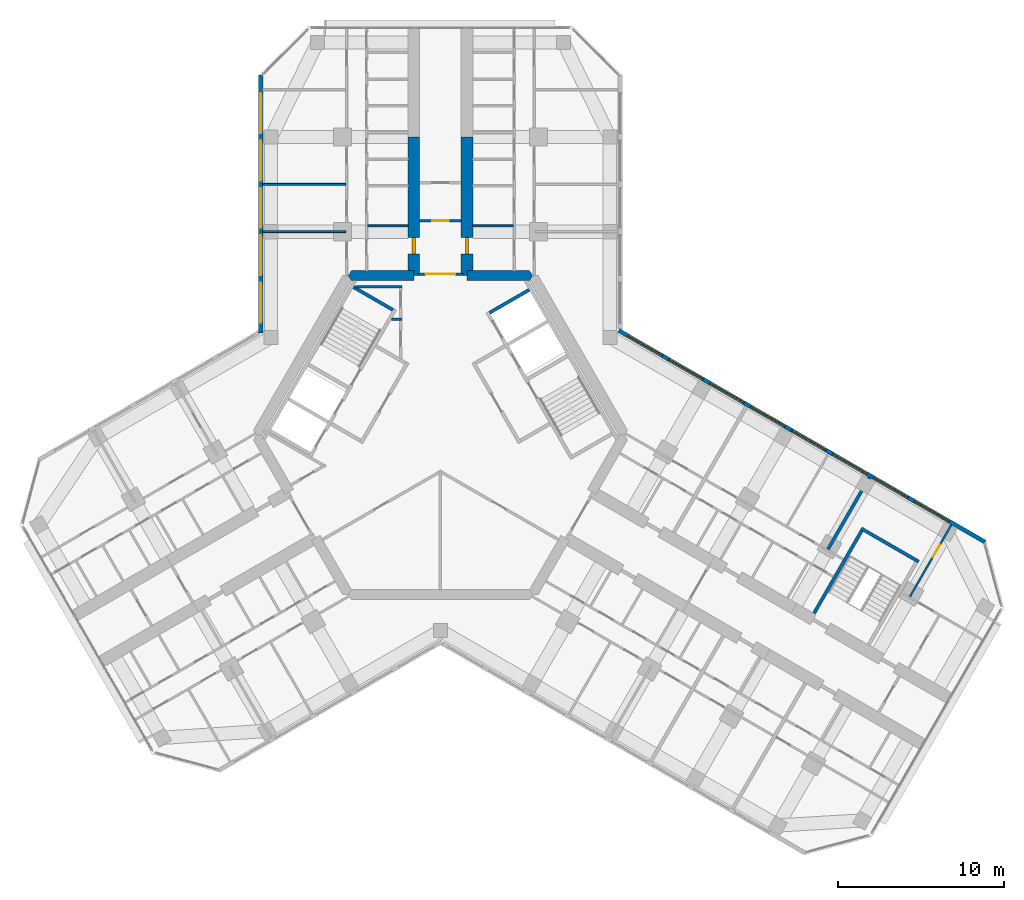
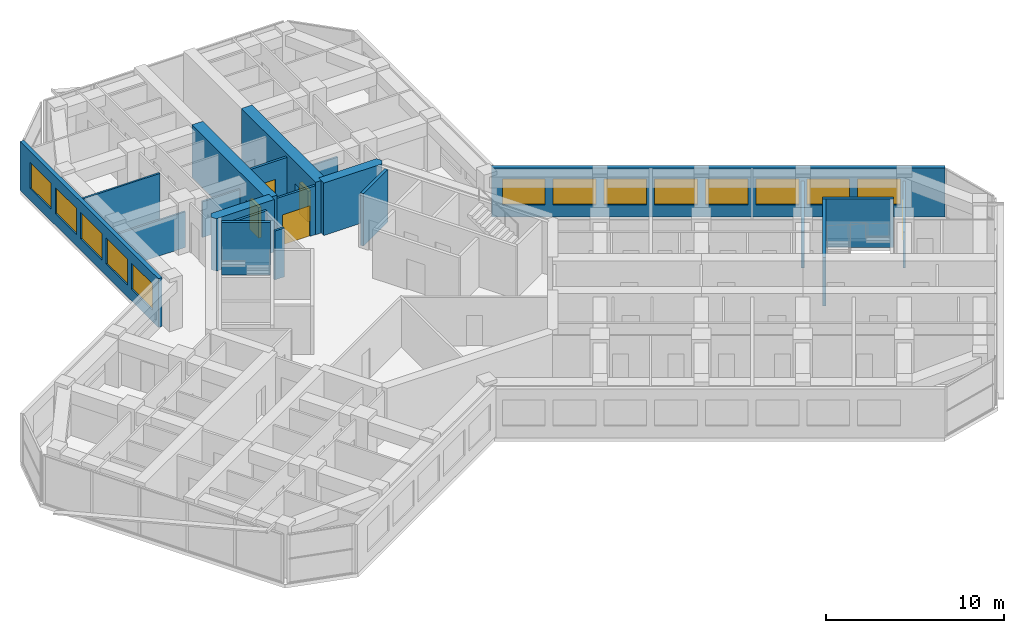
# One storey, part 13 of 16: 20 walls, 13 windows, 5 doors, 18 openings.
"""IFC4 building model written with IfcOpenShell, lengths in metres."""

from ifc_helpers import new_model, si_unit, direction, frame, frame_2d, origin, place, context, subcontext, project, spatial, polyline, rectangle, outline, extrude, material, layer, layer_set, type_object, element, fill, save


model = new_model("IFC4")

# Units and contexts
model_context = context("Model", 3, precision=1e-05, world=origin(), true_north=direction((0.0, 1.0)))
body_context = subcontext(model_context, "Body", "Model", "MODEL_VIEW")
ifc_project = project(units=[si_unit("LENGTHUNIT", "METRE"), si_unit("AREAUNIT", "SQUARE_METRE"), si_unit("VOLUMEUNIT", "CUBIC_METRE"), si_unit("PLANEANGLEUNIT", "RADIAN"), si_unit("MASSUNIT", "GRAM", prefix="KILO")], contexts=[model_context])

# Site, building, storey
site_placement = place(None, origin())
site = spatial("IfcSite", under=ifc_project, at=site_placement, CompositionType="ELEMENT")
building_placement = place(site_placement, origin())
building = spatial("IfcBuilding", under=site, at=building_placement, Name="Kosmar Iwan School Tower", CompositionType="ELEMENT")
storey_placement = place(building_placement, frame((0.0, 0.0, 238.800048828125)))
storey = spatial("IfcBuildingStorey", under=building, at=storey_placement, Name="L60", CompositionType="ELEMENT", Elevation=238.800048828125)

# Walls
ifc_material_1 = material(Name="Gypsum board on steel studs, fire-rated", Category="steel")
ifc_layer_1 = layer(ifc_material_1, 0.14990234375)
ifc_layer_set_1 = layer_set([ifc_layer_1], Name="Core room partition 150")
wall_type_1 = type_object("IfcWallType", Name="Core room partition 150", PredefinedType="PARTITIONING", material=ifc_layer_set_1)
wall_1_placement = place(storey_placement, frame((-2.324951171875, 6.985107421875, 0.0), z_axis=(0.0, 0.0, 1.0), x_axis=(-1.0, 0.0, 0.0)))
element("IfcWall", 1, at=wall_1_placement, inside=storey, type_object=wall_type_1, Name="Core room partition L60-CW2", PredefinedType="PARTITIONING", context=body_context, shape_type="SweptSolid", body=[
    extrude(rectangle(XDim=0.623779296875, YDim=0.14990234375, at=frame_2d((0.31201171875, 0.0))), origin(), (0.0, 0.0, 1.0), 3.349853515625),
])
wall_2_placement = place(storey_placement, frame((-5.089599609375, 8.93994140625, 0.0), z_axis=(0.0, 0.0, 1.0), x_axis=(1.0, 0.0, 0.0)))
element("IfcWall", 2, at=wall_2_placement, inside=storey, type_object=wall_type_1, Name="Core room partition L60-CW3", PredefinedType="PARTITIONING", context=body_context, shape_type="SweptSolid", body=[
    extrude(rectangle(XDim=2.7646484375, YDim=0.14990234375, at=frame_2d((1.38232421875, 0.0))), origin(), (0.0, 0.0, 1.0), 3.349853515625),
])
ifc_material_2 = material(Name="Concrete C50/60", Category="concrete")
ifc_layer_2 = layer(ifc_material_2, 0.60009765625)
ifc_layer_set_2 = layer_set([ifc_layer_2], Name="Core wall 600")
wall_type_2 = type_object("IfcWallType", Name="Core wall 600", PredefinedType="SHEAR", material=ifc_layer_set_2)
wall_3_placement = place(storey_placement, origin())
element("IfcWall", 3, at=wall_3_placement, inside=storey, type_object=wall_type_2, Name="Core wall F090a", PredefinedType="SHEAR", context=body_context, shape_type="SweptSolid", body=[
    extrude(outline(polyline([(1.60009765625, 9.300048828125), (5.369384765625, 9.300048828125), (5.54248046875, 9.60009765625), (5.369384765625, 9.89990234375), (1.60009765625, 9.89990234375), (1.60009765625, 9.300048828125)])), origin(), (0.0, 0.0, 1.0), 3.599853515625),
])
wall_4_placement = place(storey_placement, origin())
element("IfcWall", 4, at=wall_4_placement, inside=storey, type_object=wall_type_2, Name="Core wall F090b", PredefinedType="SHEAR", context=body_context, shape_type="SweptSolid", body=[
    extrude(outline(polyline([(-5.369384765625, 9.300048828125), (-1.60009765625, 9.300048828125), (-1.60009765625, 9.89990234375), (-5.369384765625, 9.89990234375), (-5.54248046875, 9.60009765625), (-5.369384765625, 9.300048828125)])), origin(), (0.0, 0.0, 1.0), 3.599853515625),
])

# Wall, opening, door
ifc_material_3 = material(Name="Concrete C50/60", Category="concrete")
ifc_layer_3 = layer(ifc_material_3, 0.699951171875)
ifc_layer_set_3 = layer_set([ifc_layer_3], Name="Corridor buttress wall 700")
wall_type_3 = type_object("IfcWallType", Name="Corridor buttress wall 700", PredefinedType="SHEAR", material=ifc_layer_set_3)
wall_5_placement = place(storey_placement, frame((-1.60009765625, 9.60009765625, 0.0), z_axis=(0.0, 0.0, 1.0), x_axis=(0.0, 1.0, 0.0)))
wall_5 = element("IfcWall", 5, at=wall_5_placement, inside=storey, type_object=wall_type_3, Name="Corridor wall AL", PredefinedType="SHEAR", context=body_context, shape_type="SweptSolid", body=[
    extrude(rectangle(XDim=8.349853515625, YDim=0.699951171875, at=frame_2d((4.1748046875, 0.0))), origin(), (0.0, 0.0, 1.0), 3.599853515625),
])
opening_1_placement = place(wall_5_placement, frame((1.300048828125, 0.0, 0.0)))
opening_1 = element("IfcOpeningElement", 6, at=opening_1_placement, cuts=wall_5, Name="Opening D1", PredefinedType="OPENING", context=body_context, shape_type="SweptSolid", body=[
    extrude(rectangle(XDim=1.0, YDim=2.10009765625, at=frame_2d((0.5, 1.050048828125))), frame((0.0, 0.362060546875, 0.0), z_axis=(0.0, -1.0, 0.0), x_axis=(1.0, 0.0, 0.0)), (0.0, 0.0, 1.0), 0.723876953125),
])
ifc_material_4 = material(Name="Timber fire door in steel frame", Category="steel")
door_type_1 = type_object("IfcDoorType", Name="Flat entrance door 1000x2100", OperationType="SINGLE_SWING_LEFT", PredefinedType="DOOR", material=ifc_material_4)
door_1_placement = place(opening_1_placement, origin())
door_1 = element("IfcDoor", 7, at=door_1_placement, inside=storey, type_object=door_type_1, Name="Flat L60-AL1 entrance door", OperationType="SINGLE_SWING_RIGHT", OverallHeight=2.10009765625, OverallWidth=1.0, PredefinedType="DOOR", context=body_context, shape_type="SweptSolid", body=[
    extrude(rectangle(XDim=1.0, YDim=2.10009765625, at=frame_2d((0.5, 1.050048828125))), frame((0.0, 0.10009765625, 0.0), z_axis=(0.0, -1.0, 0.0), x_axis=(1.0, 0.0, 0.0)), (0.0, 0.0, 1.0), 0.199951171875),
])
fill(opening_1, door_1)

wall_6_placement = place(storey_placement, frame((1.60009765625, 9.60009765625, 0.0), z_axis=(0.0, 0.0, 1.0), x_axis=(0.0, 1.0, 0.0)))
wall_6 = element("IfcWall", 8, at=wall_6_placement, inside=storey, type_object=wall_type_3, Name="Corridor wall AR", PredefinedType="SHEAR", context=body_context, shape_type="SweptSolid", body=[
    extrude(rectangle(XDim=8.349853515625, YDim=0.699951171875, at=frame_2d((4.1748046875, 0.0))), origin(), (0.0, 0.0, 1.0), 3.599853515625),
])
opening_2_placement = place(wall_6_placement, frame((1.300048828125, 0.0, 0.0)))
opening_2 = element("IfcOpeningElement", 9, at=opening_2_placement, cuts=wall_6, Name="Opening D1", PredefinedType="OPENING", context=body_context, shape_type="SweptSolid", body=[
    extrude(rectangle(XDim=1.0, YDim=2.10009765625, at=frame_2d((0.5, 1.050048828125))), frame((0.0, 0.362060546875, 0.0), z_axis=(0.0, -1.0, 0.0), x_axis=(1.0, 0.0, 0.0)), (0.0, 0.0, 1.0), 0.723876953125),
])
door_2_placement = place(opening_2_placement, origin())
door_2 = element("IfcDoor", 10, at=door_2_placement, inside=storey, type_object=door_type_1, Name="Flat L60-AR1 entrance door", OperationType="SINGLE_SWING_RIGHT", OverallHeight=2.10009765625, OverallWidth=1.0, PredefinedType="DOOR", context=body_context, shape_type="SweptSolid", body=[
    extrude(rectangle(XDim=1.0, YDim=2.10009765625, at=frame_2d((0.5, 1.050048828125))), frame((0.0, 0.10009765625, 0.0), z_axis=(0.0, -1.0, 0.0), x_axis=(1.0, 0.0, 0.0)), (0.0, 0.0, 1.0), 0.199951171875),
])
fill(opening_2, door_2)

ifc_material_5 = material(Name="Gypsum board on steel studs, fire-rated", Category="steel")
ifc_layer_4 = layer(ifc_material_5, 0.14990234375)
ifc_layer_set_4 = layer_set([ifc_layer_4], Name="Corridor end wall 150")
wall_type_4 = type_object("IfcWallType", Name="Corridor end wall 150", PredefinedType="PARTITIONING", material=ifc_layer_set_4)
wall_7_placement = place(storey_placement, frame((1.25, 12.89990234375, 0.0), z_axis=(0.0, 0.0, 1.0), x_axis=(-1.0, 0.0, 0.0)))
wall_7 = element("IfcWall", 11, at=wall_7_placement, inside=storey, type_object=wall_type_4, Name="Partition L60-A-HW", PredefinedType="PARTITIONING", context=body_context, shape_type="SweptSolid", body=[
    extrude(rectangle(XDim=2.5, YDim=0.14990234375, at=frame_2d((1.25, 0.0))), origin(), (0.0, 0.0, 1.0), 3.349853515625),
])
opening_3_placement = place(wall_7_placement, frame((0.75, 0.0, 0.0)))
opening_3 = element("IfcOpeningElement", 12, at=opening_3_placement, cuts=wall_7, Name="Opening D13", PredefinedType="OPENING", context=body_context, shape_type="SweptSolid", body=[
    extrude(rectangle(XDim=1.0, YDim=2.10009765625, at=frame_2d((0.5, 1.050048828125))), frame((0.0, 0.0869140625, 0.0), z_axis=(0.0, -1.0, 0.0), x_axis=(1.0, 0.0, 0.0)), (0.0, 0.0, 1.0), 0.173828125),
])
ifc_material_6 = material(Name="Timber fire door with vision panel", Category="wood")
door_type_2 = type_object("IfcDoorType", Name="Corridor end door 1000x2100", OperationType="SINGLE_SWING_LEFT", PredefinedType="DOOR", material=ifc_material_6)
door_3_placement = place(opening_3_placement, origin())
door_3 = element("IfcDoor", 13, at=door_3_placement, inside=storey, type_object=door_type_2, Name="Entrance door L60-A", OperationType="SINGLE_SWING_LEFT", OverallHeight=2.10009765625, OverallWidth=1.0, PredefinedType="DOOR", context=body_context, shape_type="SweptSolid", body=[
    extrude(rectangle(XDim=1.0, YDim=2.10009765625, at=frame_2d((0.5, 1.050048828125))), frame((0.0, 0.02490234375, 0.0), z_axis=(0.0, -1.0, 0.0), x_axis=(1.0, 0.0, 0.0)), (0.0, 0.0, 1.0), 0.050048828125),
])
fill(opening_3, door_3)

ifc_material_7 = material(Name="Steel framed glazed screen", Category="steel")
ifc_layer_5 = layer(ifc_material_7, 0.14990234375)
ifc_layer_set_5 = layer_set([ifc_layer_5], Name="Corridor screen wall 150")
wall_type_5 = type_object("IfcWallType", Name="Corridor screen wall 150", PredefinedType="PARTITIONING", material=ifc_layer_set_5)
wall_8_placement = place(storey_placement, frame((1.35009765625, 9.699951171875, 0.0), z_axis=(0.0, 0.0, 1.0), x_axis=(-1.0, 0.0, 0.0)))
wall_8 = element("IfcWall", 14, at=wall_8_placement, inside=storey, type_object=wall_type_5, Name="Corridor screen A L60", PredefinedType="PARTITIONING", context=body_context, shape_type="SweptSolid", body=[
    extrude(rectangle(XDim=2.7001953125, YDim=0.14990234375, at=frame_2d((1.35009765625, 0.0))), origin(), (0.0, 0.0, 1.0), 3.349853515625),
])
opening_4_placement = place(wall_8_placement, frame((0.449951171875, 0.0, 0.0)))
opening_4 = element("IfcOpeningElement", 15, at=opening_4_placement, cuts=wall_8, Name="Opening D9", PredefinedType="OPENING", context=body_context, shape_type="SweptSolid", body=[
    extrude(rectangle(XDim=1.800048828125, YDim=2.10009765625, at=frame_2d((0.89990234375, 1.050048828125))), frame((0.0, 0.0869140625, 0.0), z_axis=(0.0, -1.0, 0.0), x_axis=(1.0, 0.0, 0.0)), (0.0, 0.0, 1.0), 0.173828125),
])
ifc_material_8 = material(Name="Steel framed glazed smoke door", Category="steel")
door_type_3 = type_object("IfcDoorType", Name="Corridor smoke door pair 1800x2100", OperationType="DOUBLE_DOOR_DOUBLE_SWING", PredefinedType="DOOR", material=ifc_material_8)
door_4_placement = place(opening_4_placement, origin())
door_4 = element("IfcDoor", 16, at=door_4_placement, inside=storey, type_object=door_type_3, Name="Corridor doors A L60", OperationType="DOUBLE_DOOR_DOUBLE_SWING", OverallHeight=2.10009765625, OverallWidth=1.800048828125, PredefinedType="DOOR", context=body_context, shape_type="SweptSolid", body=[
    extrude(rectangle(XDim=1.800048828125, YDim=2.10009765625, at=frame_2d((0.89990234375, 1.050048828125))), frame((0.0, 0.02490234375, 0.0), z_axis=(0.0, -1.0, 0.0), x_axis=(1.0, 0.0, 0.0)), (0.0, 0.0, 1.0), 0.050048828125),
])
fill(opening_4, door_4)

# Walls
ifc_material_9 = material(Name="Gypsum board on steel studs", Category="steel")
ifc_layer_6 = layer(ifc_material_9, 0.1201171875)
ifc_layer_set_6 = layer_set([ifc_layer_6], Name="Dwelling partition 120")
wall_type_6 = type_object("IfcWallType", Name="Dwelling partition 120", PredefinedType="PARTITIONING", material=ifc_layer_set_6)
wall_9_placement = place(storey_placement, frame((-5.7099609375, 12.25, 0.0), z_axis=(0.0, 0.0, 1.0), x_axis=(-1.0, 0.0, 0.0)))
element("IfcWall", 17, at=wall_9_placement, inside=storey, type_object=wall_type_6, Name="Partition L60-AL1-X1", PredefinedType="PARTITIONING", context=body_context, shape_type="SweptSolid", body=[
    extrude(rectangle(XDim=4.989990234375, YDim=0.1201171875, at=frame_2d((2.4951171875, 0.0))), origin(), (0.0, 0.0, 1.0), 2.449951171875),
])
wall_10_placement = place(storey_placement, frame((-5.7099609375, 15.10009765625, 0.0), z_axis=(0.0, 0.0, 1.0), x_axis=(-1.0, 0.0, 0.0)))
element("IfcWall", 18, at=wall_10_placement, inside=storey, type_object=wall_type_6, Name="Partition L60-AL1-X2", PredefinedType="PARTITIONING", context=body_context, shape_type="SweptSolid", body=[
    extrude(rectangle(XDim=4.989990234375, YDim=0.1201171875, at=frame_2d((2.4951171875, 0.0))), origin(), (0.0, 0.0, 1.0), 3.349853515625),
])
for number, where, z_axis, x_axis, name in (
    (19, (-1.949951171875, 12.60009765625, 0.0), (0.0, 0.0, 1.0), (-1.0, 0.0, 0.0), "Partition L60-AL1-Y1"),
    (20, (1.949951171875, 12.60009765625, 0.0), (0.0, 0.0, 1.0), (1.0, 0.0, 0.0), "Partition L60-AR1-Y1"),
):
    element("IfcWall", number, at=place(storey_placement, frame(where, z_axis=z_axis, x_axis=x_axis)), inside=storey, type_object=wall_type_6, Name=name, PredefinedType="PARTITIONING", context=body_context, shape_type="SweptSolid", body=[
        extrude(rectangle(XDim=2.43994140625, YDim=0.1201171875, at=frame_2d((1.219970703125, 0.0))), origin(), (0.0, 0.0, 1.0), 2.449951171875),
    ])

# Wall, opening, door
wall_11_placement = place(storey_placement, frame((28.27294921875, -9.72998046875, 0.0), z_axis=(0.0, 0.0, 1.0), x_axis=(0.499975153383, 0.86603974851, 0.0)))
wall_11 = element("IfcWall", 21, at=wall_11_placement, inside=storey, type_object=wall_type_6, Name="Partition L60-CL3-TX", PredefinedType="PARTITIONING", context=body_context, shape_type="SweptSolid", body=[
    extrude(rectangle(XDim=4.989990234375, YDim=0.1201171875, at=frame_2d((2.4951171875, 0.0))), origin(), (0.0, 0.0, 1.0), 2.449951171875),
])
opening_5_placement = place(wall_11_placement, frame((2.739990234375, 0.0, 0.0)))
opening_5 = element("IfcOpeningElement", 22, at=opening_5_placement, cuts=wall_11, Name="Opening D2", PredefinedType="OPENING", context=body_context, shape_type="SweptSolid", body=[
    extrude(rectangle(XDim=0.89990234375, YDim=2.10009765625, at=frame_2d((0.449951171875, 1.050048828125))), frame((0.0, 0.072021484375, 0.0), z_axis=(0.0, -1.0, 0.0), x_axis=(1.0, 0.0, 0.0)), (0.0, 0.0, 1.0), 0.14404296875),
])
ifc_material_10 = material(Name="Timber door in timber frame", Category="wood")
door_type_4 = type_object("IfcDoorType", Name="Internal door 900x2100", OperationType="SINGLE_SWING_LEFT", PredefinedType="DOOR", material=ifc_material_10)
door_5_placement = place(opening_5_placement, origin())
door_5 = element("IfcDoor", 23, at=door_5_placement, inside=storey, type_object=door_type_4, Name="Bedroom 1 door L60-CL3-T1", OperationType="SINGLE_SWING_RIGHT", OverallHeight=2.10009765625, OverallWidth=0.89990234375, PredefinedType="DOOR", context=body_context, shape_type="SweptSolid", body=[
    extrude(rectangle(XDim=0.89990234375, YDim=2.10009765625, at=frame_2d((0.449951171875, 1.050048828125))), frame((0.0, 0.02490234375, 0.0), z_axis=(0.0, -1.0, 0.0), x_axis=(1.0, 0.0, 0.0)), (0.0, 0.0, 1.0), 0.050048828125),
])
fill(opening_5, door_5)

# Walls
ifc_material_11 = material(Name="Concrete C35/45", Category="concrete")
ifc_layer_7 = layer(ifc_material_11, 0.199951171875)
ifc_layer_set_7 = layer_set([ifc_layer_7], Name="Escape stair wall 200")
wall_type_7 = type_object("IfcWallType", Name="Escape stair wall 200", PredefinedType="SHEAR", material=ifc_layer_set_7)
wall_12_placement = place(storey_placement, frame((22.49560546875, -10.736328125, 0.0), z_axis=(0.0, 0.0, 1.0), x_axis=(0.500013701029, 0.866017493347, 0.0)))
element("IfcWall", 24, at=wall_12_placement, inside=storey, type_object=wall_type_7, Name="Stair WS3 wall", PredefinedType="SHEAR", context=body_context, shape_type="SweptSolid", body=[
    extrude(rectangle(XDim=5.949951171875, YDim=0.199951171875, at=frame_2d((2.97509765625, 0.0))), origin(), (0.0, 0.0, 1.0), 3.329833984375),
])
wall_13_placement = place(storey_placement, frame((25.334228515625, -5.6201171875, 0.0), z_axis=(0.0, 0.0, 1.0), x_axis=(0.866026010844, -0.49999894854, 0.0)))
element("IfcWall", 25, at=wall_13_placement, inside=storey, type_object=wall_type_7, Name="Stair WS3 wall", PredefinedType="SHEAR", context=body_context, shape_type="SweptSolid", body=[
    extrude(rectangle(XDim=4.0, YDim=0.199951171875, at=frame_2d((2.0, 0.0))), origin(), (0.0, 0.0, 1.0), 3.329833984375),
])

# Wall, openings, windows
ifc_material_12 = material(Name="Black aluminium rainscreen on insulated framing", Category="aluminium")
ifc_layer_8 = layer(ifc_material_12, 0.25)
ifc_layer_set_8 = layer_set([ifc_layer_8], Name="External wall rainscreen 250")
wall_type_8 = type_object("IfcWallType", Name="External wall rainscreen 250", PredefinedType="SOLIDWALL", material=ifc_layer_set_8)
wall_14_placement = place(storey_placement, frame((10.73681640625, 6.30078125, 0.0), z_axis=(0.0, 0.0, 1.0), x_axis=(0.866026390279, -0.499998291337, 0.0)))
wall_14 = element("IfcWall", 26, at=wall_14_placement, inside=storey, type_object=wall_type_8, Name="External wall CL L60", PredefinedType="SOLIDWALL", context=body_context, shape_type="SweptSolid", body=[
    extrude(rectangle(XDim=25.4873046875, YDim=0.25, at=frame_2d((12.74365234375, 0.0))), origin(), (0.0, 0.0, 1.0), 3.349853515625),
])
opening_6_placement = place(wall_14_placement, frame((0.626953125, 0.0, 0.800048828125)))
opening_6 = element("IfcOpeningElement", 27, at=opening_6_placement, cuts=wall_14, Name="Opening W5", PredefinedType="OPENING", context=body_context, shape_type="SweptSolid", body=[
    extrude(rectangle(XDim=2.39990234375, YDim=1.800048828125, at=frame_2d((1.199951171875, 0.89990234375))), frame((0.0, 0.136962890625, 0.0), z_axis=(0.0, -1.0, 0.0), x_axis=(1.0, 0.0, 0.0)), (0.0, 0.0, 1.0), 0.27392578125),
])
opening_7_placement = place(wall_14_placement, frame((3.47705078125, 0.0, 0.800048828125)))
opening_7 = element("IfcOpeningElement", 28, at=opening_7_placement, cuts=wall_14, Name="Opening W5", PredefinedType="OPENING", context=body_context, shape_type="SweptSolid", body=[
    extrude(rectangle(XDim=2.39990234375, YDim=1.800048828125, at=frame_2d((1.199951171875, 0.89990234375))), frame((0.0, 0.136962890625, 0.0), z_axis=(0.0, -1.0, 0.0), x_axis=(1.0, 0.0, 0.0)), (0.0, 0.0, 1.0), 0.27392578125),
])
opening_8_placement = place(wall_14_placement, frame((6.326904296875, 0.0, 0.800048828125)))
opening_8 = element("IfcOpeningElement", 29, at=opening_8_placement, cuts=wall_14, Name="Opening W5", PredefinedType="OPENING", context=body_context, shape_type="SweptSolid", body=[
    extrude(rectangle(XDim=2.39990234375, YDim=1.800048828125, at=frame_2d((1.199951171875, 0.89990234375))), frame((0.0, 0.136962890625, 0.0), z_axis=(0.0, -1.0, 0.0), x_axis=(1.0, 0.0, 0.0)), (0.0, 0.0, 1.0), 0.27392578125),
])
opening_9_placement = place(wall_14_placement, frame((9.177001953125, 0.0, 0.800048828125)))
opening_9 = element("IfcOpeningElement", 30, at=opening_9_placement, cuts=wall_14, Name="Opening W5", PredefinedType="OPENING", context=body_context, shape_type="SweptSolid", body=[
    extrude(rectangle(XDim=2.39990234375, YDim=1.800048828125, at=frame_2d((1.199951171875, 0.89990234375))), frame((0.0, 0.136962890625, 0.0), z_axis=(0.0, -1.0, 0.0), x_axis=(1.0, 0.0, 0.0)), (0.0, 0.0, 1.0), 0.27392578125),
])
opening_10_placement = place(wall_14_placement, frame((12.027099609375, 0.0, 0.800048828125)))
opening_10 = element("IfcOpeningElement", 31, at=opening_10_placement, cuts=wall_14, Name="Opening W5", PredefinedType="OPENING", context=body_context, shape_type="SweptSolid", body=[
    extrude(rectangle(XDim=2.39990234375, YDim=1.800048828125, at=frame_2d((1.199951171875, 0.89990234375))), frame((0.0, 0.136962890625, 0.0), z_axis=(0.0, -1.0, 0.0), x_axis=(1.0, 0.0, 0.0)), (0.0, 0.0, 1.0), 0.27392578125),
])
opening_11_placement = place(wall_14_placement, frame((14.876953125, 0.0, 0.800048828125)))
opening_11 = element("IfcOpeningElement", 32, at=opening_11_placement, cuts=wall_14, Name="Opening W5", PredefinedType="OPENING", context=body_context, shape_type="SweptSolid", body=[
    extrude(rectangle(XDim=2.39990234375, YDim=1.800048828125, at=frame_2d((1.199951171875, 0.89990234375))), frame((0.0, 0.136962890625, 0.0), z_axis=(0.0, -1.0, 0.0), x_axis=(1.0, 0.0, 0.0)), (0.0, 0.0, 1.0), 0.27392578125),
])
opening_12_placement = place(wall_14_placement, frame((17.72705078125, 0.0, 0.800048828125)))
opening_12 = element("IfcOpeningElement", 33, at=opening_12_placement, cuts=wall_14, Name="Opening W5", PredefinedType="OPENING", context=body_context, shape_type="SweptSolid", body=[
    extrude(rectangle(XDim=2.39990234375, YDim=1.800048828125, at=frame_2d((1.199951171875, 0.89990234375))), frame((0.0, 0.136962890625, 0.0), z_axis=(0.0, -1.0, 0.0), x_axis=(1.0, 0.0, 0.0)), (0.0, 0.0, 1.0), 0.27392578125),
])
opening_13_placement = place(wall_14_placement, frame((20.576904296875, 0.0, 0.800048828125)))
opening_13 = element("IfcOpeningElement", 34, at=opening_13_placement, cuts=wall_14, Name="Opening W5", PredefinedType="OPENING", context=body_context, shape_type="SweptSolid", body=[
    extrude(rectangle(XDim=2.39990234375, YDim=1.800048828125, at=frame_2d((1.199951171875, 0.89990234375))), frame((0.0, 0.136962890625, 0.0), z_axis=(0.0, -1.0, 0.0), x_axis=(1.0, 0.0, 0.0)), (0.0, 0.0, 1.0), 0.27392578125),
])
ifc_material_13 = material(Name="Black aluminium frame with dark triple glazing", Category="aluminium")
window_type = type_object("IfcWindowType", Name="Window 2400x1800", PartitioningType="SINGLE_PANEL", PredefinedType="WINDOW", material=ifc_material_13)
window_1_placement = place(opening_6_placement, origin())
window_1 = element("IfcWindow", 35, at=window_1_placement, inside=storey, type_object=window_type, Name="Window CL L60 -1", OverallHeight=1.800048828125, OverallWidth=2.39990234375, PartitioningType="SINGLE_PANEL", PredefinedType="WINDOW", context=body_context, shape_type="SweptSolid", body=[
    extrude(rectangle(XDim=2.39990234375, YDim=1.800048828125, at=frame_2d((1.199951171875, 0.89990234375))), frame((0.0, 0.030029296875, 0.0), z_axis=(0.0, -1.0, 0.0), x_axis=(1.0, 0.0, 0.0)), (0.0, 0.0, 1.0), 0.06005859375),
])
fill(opening_6, window_1)
window_2_placement = place(opening_7_placement, origin())
window_2 = element("IfcWindow", 36, at=window_2_placement, inside=storey, type_object=window_type, Name="Window CL L60 0", OverallHeight=1.800048828125, OverallWidth=2.39990234375, PartitioningType="SINGLE_PANEL", PredefinedType="WINDOW", context=body_context, shape_type="SweptSolid", body=[
    extrude(rectangle(XDim=2.39990234375, YDim=1.800048828125, at=frame_2d((1.199951171875, 0.89990234375))), frame((0.0, 0.030029296875, 0.0), z_axis=(0.0, -1.0, 0.0), x_axis=(1.0, 0.0, 0.0)), (0.0, 0.0, 1.0), 0.06005859375),
])
fill(opening_7, window_2)
window_3_placement = place(opening_8_placement, origin())
window_3 = element("IfcWindow", 37, at=window_3_placement, inside=storey, type_object=window_type, Name="Window CL L60 1", OverallHeight=1.800048828125, OverallWidth=2.39990234375, PartitioningType="SINGLE_PANEL", PredefinedType="WINDOW", context=body_context, shape_type="SweptSolid", body=[
    extrude(rectangle(XDim=2.39990234375, YDim=1.800048828125, at=frame_2d((1.199951171875, 0.89990234375))), frame((0.0, 0.030029296875, 0.0), z_axis=(0.0, -1.0, 0.0), x_axis=(1.0, 0.0, 0.0)), (0.0, 0.0, 1.0), 0.06005859375),
])
fill(opening_8, window_3)
window_4_placement = place(opening_9_placement, origin())
window_4 = element("IfcWindow", 38, at=window_4_placement, inside=storey, type_object=window_type, Name="Window CL L60 2", OverallHeight=1.800048828125, OverallWidth=2.39990234375, PartitioningType="SINGLE_PANEL", PredefinedType="WINDOW", context=body_context, shape_type="SweptSolid", body=[
    extrude(rectangle(XDim=2.39990234375, YDim=1.800048828125, at=frame_2d((1.199951171875, 0.89990234375))), frame((0.0, 0.030029296875, 0.0), z_axis=(0.0, -1.0, 0.0), x_axis=(1.0, 0.0, 0.0)), (0.0, 0.0, 1.0), 0.06005859375),
])
fill(opening_9, window_4)
window_5_placement = place(opening_10_placement, origin())
window_5 = element("IfcWindow", 39, at=window_5_placement, inside=storey, type_object=window_type, Name="Window CL L60 3", OverallHeight=1.800048828125, OverallWidth=2.39990234375, PartitioningType="SINGLE_PANEL", PredefinedType="WINDOW", context=body_context, shape_type="SweptSolid", body=[
    extrude(rectangle(XDim=2.39990234375, YDim=1.800048828125, at=frame_2d((1.199951171875, 0.89990234375))), frame((0.0, 0.030029296875, 0.0), z_axis=(0.0, -1.0, 0.0), x_axis=(1.0, 0.0, 0.0)), (0.0, 0.0, 1.0), 0.06005859375),
])
fill(opening_10, window_5)
window_6_placement = place(opening_11_placement, origin())
window_6 = element("IfcWindow", 40, at=window_6_placement, inside=storey, type_object=window_type, Name="Window CL L60 4", OverallHeight=1.800048828125, OverallWidth=2.39990234375, PartitioningType="SINGLE_PANEL", PredefinedType="WINDOW", context=body_context, shape_type="SweptSolid", body=[
    extrude(rectangle(XDim=2.39990234375, YDim=1.800048828125, at=frame_2d((1.199951171875, 0.89990234375))), frame((0.0, 0.030029296875, 0.0), z_axis=(0.0, -1.0, 0.0), x_axis=(1.0, 0.0, 0.0)), (0.0, 0.0, 1.0), 0.06005859375),
])
fill(opening_11, window_6)
window_7_placement = place(opening_12_placement, origin())
window_7 = element("IfcWindow", 41, at=window_7_placement, inside=storey, type_object=window_type, Name="Window CL L60 5", OverallHeight=1.800048828125, OverallWidth=2.39990234375, PartitioningType="SINGLE_PANEL", PredefinedType="WINDOW", context=body_context, shape_type="SweptSolid", body=[
    extrude(rectangle(XDim=2.39990234375, YDim=1.800048828125, at=frame_2d((1.199951171875, 0.89990234375))), frame((0.0, 0.030029296875, 0.0), z_axis=(0.0, -1.0, 0.0), x_axis=(1.0, 0.0, 0.0)), (0.0, 0.0, 1.0), 0.06005859375),
])
fill(opening_12, window_7)
window_8_placement = place(opening_13_placement, origin())
window_8 = element("IfcWindow", 42, at=window_8_placement, inside=storey, type_object=window_type, Name="Window CL L60 6", OverallHeight=1.800048828125, OverallWidth=2.39990234375, PartitioningType="SINGLE_PANEL", PredefinedType="WINDOW", context=body_context, shape_type="SweptSolid", body=[
    extrude(rectangle(XDim=2.39990234375, YDim=1.800048828125, at=frame_2d((1.199951171875, 0.89990234375))), frame((0.0, 0.030029296875, 0.0), z_axis=(0.0, -1.0, 0.0), x_axis=(1.0, 0.0, 0.0)), (0.0, 0.0, 1.0), 0.06005859375),
])
fill(opening_13, window_8)

wall_15_placement = place(storey_placement, frame((-10.824951171875, 6.14794921875, 0.0), z_axis=(0.0, 0.0, 1.0), x_axis=(0.0, 1.0, 0.0)))
wall_15 = element("IfcWall", 43, at=wall_15_placement, inside=storey, type_object=wall_type_8, Name="External wall AL L60", PredefinedType="SOLIDWALL", context=body_context, shape_type="SweptSolid", body=[
    extrude(rectangle(XDim=15.537353515625, YDim=0.25, at=frame_2d((7.7685546875, 0.0))), origin(), (0.0, 0.0, 1.0), 3.349853515625),
])
opening_14_placement = place(wall_15_placement, frame((0.626953125, 0.0, 0.800048828125)))
opening_14 = element("IfcOpeningElement", 44, at=opening_14_placement, cuts=wall_15, Name="Opening W5", PredefinedType="OPENING", context=body_context, shape_type="SweptSolid", body=[
    extrude(rectangle(XDim=2.39990234375, YDim=1.800048828125, at=frame_2d((1.199951171875, 0.89990234375))), frame((0.0, 0.136962890625, 0.0), z_axis=(0.0, -1.0, 0.0), x_axis=(1.0, 0.0, 0.0)), (0.0, 0.0, 1.0), 0.27392578125),
])
opening_15_placement = place(wall_15_placement, frame((3.47705078125, 0.0, 0.800048828125)))
opening_15 = element("IfcOpeningElement", 45, at=opening_15_placement, cuts=wall_15, Name="Opening W5", PredefinedType="OPENING", context=body_context, shape_type="SweptSolid", body=[
    extrude(rectangle(XDim=2.39990234375, YDim=1.800048828125, at=frame_2d((1.199951171875, 0.89990234375))), frame((0.0, 0.136962890625, 0.0), z_axis=(0.0, -1.0, 0.0), x_axis=(1.0, 0.0, 0.0)), (0.0, 0.0, 1.0), 0.27392578125),
])
opening_16_placement = place(wall_15_placement, frame((6.326904296875, 0.0, 0.800048828125)))
opening_16 = element("IfcOpeningElement", 46, at=opening_16_placement, cuts=wall_15, Name="Opening W5", PredefinedType="OPENING", context=body_context, shape_type="SweptSolid", body=[
    extrude(rectangle(XDim=2.39990234375, YDim=1.800048828125, at=frame_2d((1.199951171875, 0.89990234375))), frame((0.0, 0.136962890625, 0.0), z_axis=(0.0, -1.0, 0.0), x_axis=(1.0, 0.0, 0.0)), (0.0, 0.0, 1.0), 0.27392578125),
])
opening_17_placement = place(wall_15_placement, frame((9.177001953125, 0.0, 0.800048828125)))
opening_17 = element("IfcOpeningElement", 47, at=opening_17_placement, cuts=wall_15, Name="Opening W5", PredefinedType="OPENING", context=body_context, shape_type="SweptSolid", body=[
    extrude(rectangle(XDim=2.39990234375, YDim=1.800048828125, at=frame_2d((1.199951171875, 0.89990234375))), frame((0.0, 0.136962890625, 0.0), z_axis=(0.0, -1.0, 0.0), x_axis=(1.0, 0.0, 0.0)), (0.0, 0.0, 1.0), 0.27392578125),
])
opening_18_placement = place(wall_15_placement, frame((12.027099609375, 0.0, 0.800048828125)))
opening_18 = element("IfcOpeningElement", 48, at=opening_18_placement, cuts=wall_15, Name="Opening W5", PredefinedType="OPENING", context=body_context, shape_type="SweptSolid", body=[
    extrude(rectangle(XDim=2.39990234375, YDim=1.800048828125, at=frame_2d((1.199951171875, 0.89990234375))), frame((0.0, 0.136962890625, 0.0), z_axis=(0.0, -1.0, 0.0), x_axis=(1.0, 0.0, 0.0)), (0.0, 0.0, 1.0), 0.27392578125),
])
window_9_placement = place(opening_14_placement, origin())
window_9 = element("IfcWindow", 49, at=window_9_placement, inside=storey, type_object=window_type, Name="Window AL L60 -1", OverallHeight=1.800048828125, OverallWidth=2.39990234375, PartitioningType="SINGLE_PANEL", PredefinedType="WINDOW", context=body_context, shape_type="SweptSolid", body=[
    extrude(rectangle(XDim=2.39990234375, YDim=1.800048828125, at=frame_2d((1.199951171875, 0.89990234375))), frame((0.0, 0.030029296875, 0.0), z_axis=(0.0, -1.0, 0.0), x_axis=(1.0, 0.0, 0.0)), (0.0, 0.0, 1.0), 0.06005859375),
])
fill(opening_14, window_9)
window_10_placement = place(opening_15_placement, origin())
window_10 = element("IfcWindow", 50, at=window_10_placement, inside=storey, type_object=window_type, Name="Window AL L60 0", OverallHeight=1.800048828125, OverallWidth=2.39990234375, PartitioningType="SINGLE_PANEL", PredefinedType="WINDOW", context=body_context, shape_type="SweptSolid", body=[
    extrude(rectangle(XDim=2.39990234375, YDim=1.800048828125, at=frame_2d((1.199951171875, 0.89990234375))), frame((0.0, 0.030029296875, 0.0), z_axis=(0.0, -1.0, 0.0), x_axis=(1.0, 0.0, 0.0)), (0.0, 0.0, 1.0), 0.06005859375),
])
fill(opening_15, window_10)
window_11_placement = place(opening_16_placement, origin())
window_11 = element("IfcWindow", 51, at=window_11_placement, inside=storey, type_object=window_type, Name="Window AL L60 1", OverallHeight=1.800048828125, OverallWidth=2.39990234375, PartitioningType="SINGLE_PANEL", PredefinedType="WINDOW", context=body_context, shape_type="SweptSolid", body=[
    extrude(rectangle(XDim=2.39990234375, YDim=1.800048828125, at=frame_2d((1.199951171875, 0.89990234375))), frame((0.0, 0.030029296875, 0.0), z_axis=(0.0, -1.0, 0.0), x_axis=(1.0, 0.0, 0.0)), (0.0, 0.0, 1.0), 0.06005859375),
])
fill(opening_16, window_11)
window_12_placement = place(opening_17_placement, origin())
window_12 = element("IfcWindow", 52, at=window_12_placement, inside=storey, type_object=window_type, Name="Window AL L60 2", OverallHeight=1.800048828125, OverallWidth=2.39990234375, PartitioningType="SINGLE_PANEL", PredefinedType="WINDOW", context=body_context, shape_type="SweptSolid", body=[
    extrude(rectangle(XDim=2.39990234375, YDim=1.800048828125, at=frame_2d((1.199951171875, 0.89990234375))), frame((0.0, 0.030029296875, 0.0), z_axis=(0.0, -1.0, 0.0), x_axis=(1.0, 0.0, 0.0)), (0.0, 0.0, 1.0), 0.06005859375),
])
fill(opening_17, window_12)
window_13_placement = place(opening_18_placement, origin())
window_13 = element("IfcWindow", 53, at=window_13_placement, inside=storey, type_object=window_type, Name="Window AL L60 3", OverallHeight=1.800048828125, OverallWidth=2.39990234375, PartitioningType="SINGLE_PANEL", PredefinedType="WINDOW", context=body_context, shape_type="SweptSolid", body=[
    extrude(rectangle(XDim=2.39990234375, YDim=1.800048828125, at=frame_2d((1.199951171875, 0.89990234375))), frame((0.0, 0.030029296875, 0.0), z_axis=(0.0, -1.0, 0.0), x_axis=(1.0, 0.0, 0.0)), (0.0, 0.0, 1.0), 0.06005859375),
])
fill(opening_18, window_13)

# Walls
ifc_material_14 = material(Name="Concrete C50/60", Category="concrete")
ifc_layer_9 = layer(ifc_material_14, 0.199951171875)
ifc_layer_set_9 = layer_set([ifc_layer_9], Name="Lift shaft wall 200")
wall_type_9 = type_object("IfcWallType", Name="Lift shaft wall 200", PredefinedType="SHEAR", material=ifc_layer_set_9)
wall_16_placement = place(storey_placement, frame((2.962646484375, 7.368408203125, 0.0), z_axis=(0.0, 0.0, 1.0), x_axis=(0.866027397988, 0.499996545922, 0.0)))
element("IfcWall", 54, at=wall_16_placement, inside=storey, type_object=wall_type_9, Name="Lift shaft wall AC 2", PredefinedType="SHEAR", context=body_context, shape_type="SweptSolid", body=[
    extrude(rectangle(XDim=2.75, YDim=0.199951171875, at=frame_2d((1.375, 0.0))), origin(), (0.0, 0.0, 1.0), 3.599853515625),
])
ifc_material_15 = material(Name="Concrete block masonry", Category="masonry")
ifc_layer_10 = layer(ifc_material_15, 0.199951171875)
ifc_layer_set_10 = layer_set([ifc_layer_10], Name="Party wall 200")
wall_type_10 = type_object("IfcWallType", Name="Party wall 200", PredefinedType="PARTITIONING", material=ifc_layer_set_10)
wall_17_placement = place(storey_placement, frame((23.33642578125, -6.8798828125, 0.0), z_axis=(0.0, 0.0, 1.0), x_axis=(0.500033033937, 0.866006330792, 0.0)))
element("IfcWall", 55, at=wall_17_placement, inside=storey, type_object=wall_type_10, Name="Partition L60-CL3-TB", PredefinedType="PARTITIONING", context=body_context, shape_type="SweptSolid", body=[
    extrude(rectangle(XDim=4.989990234375, YDim=0.199951171875, at=frame_2d((2.4951171875, 0.0))), origin(), (0.0, 0.0, 1.0), 2.449951171875),
])
ifc_material_16 = material(Name="Concrete C50/60", Category="concrete")
ifc_layer_11 = layer(ifc_material_16, 0.199951171875)
ifc_layer_set_11 = layer_set([ifc_layer_11], Name="Stair enclosure wall 200")
wall_type_11 = type_object("IfcWallType", Name="Stair enclosure wall 200", PredefinedType="SHEAR", material=ifc_layer_set_11)
wall_18_placement = place(storey_placement, frame((-2.862548828125, 7.541748046875, 0.0), z_axis=(0.0, 0.0, 1.0), x_axis=(-0.866027397988, 0.499996545922, 0.0)))
element("IfcWall", 56, at=wall_18_placement, inside=storey, type_object=wall_type_11, Name="Stair ST2 wall", PredefinedType="SHEAR", context=body_context, shape_type="SweptSolid", body=[
    extrude(rectangle(XDim=2.75, YDim=0.199951171875, at=frame_2d((1.375, 0.0))), origin(), (0.0, 0.0, 1.0), 3.599853515625),
])

save(model, "model.ifc")
